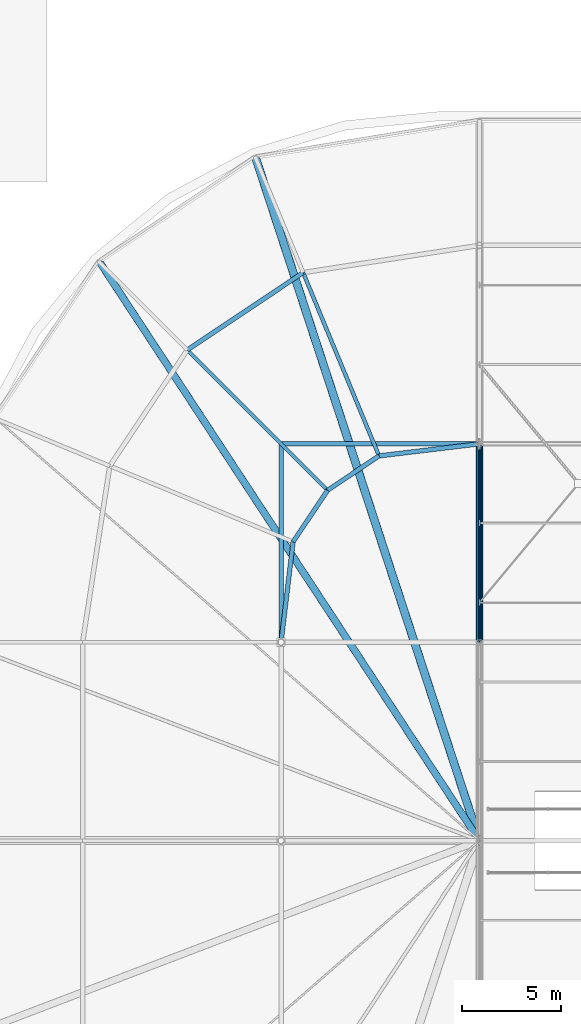
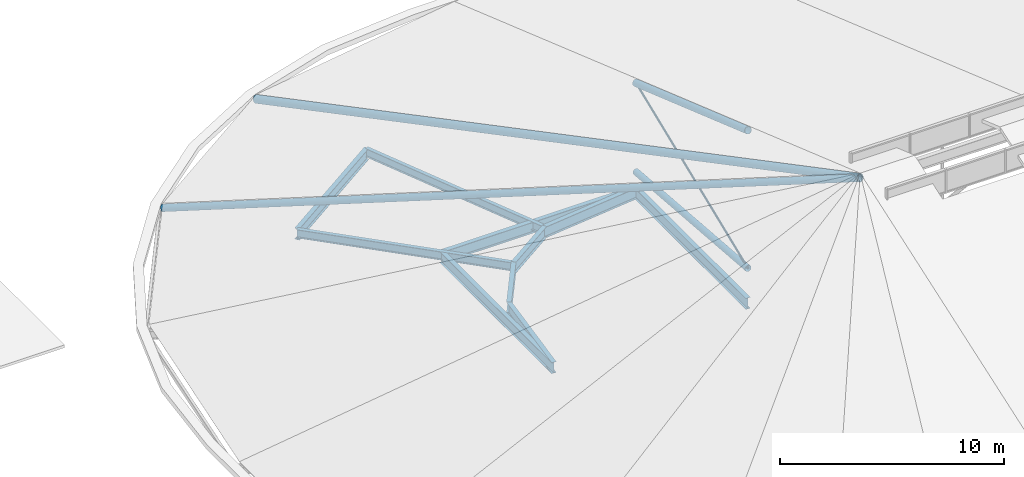
# One storey, part 32 of 93: 10 beams, 5 members.
"""IFC4 building model written with IfcOpenShell, lengths in metres."""

from ifc_helpers import new_model, si_unit, derived_unit, direction, frame, origin, origin_2d_with_axis, place, context, subcontext, project, spatial, hollow_circle, i_section, extrude, material, material_profile, profile_set, type_object, element, save


model = new_model("IFC4")

# Units and contexts
model_context = context("Model", 3, precision=1e-05, world=origin(), true_north=direction((0.0, 1.0)))
body_context = subcontext(model_context, "Body", "Model", "MODEL_VIEW")
ifc_project = project(units=[si_unit("LENGTHUNIT", "METRE"), si_unit("AREAUNIT", "SQUARE_METRE"), si_unit("VOLUMEUNIT", "CUBIC_METRE"), si_unit("PLANEANGLEUNIT", "RADIAN"), si_unit("MASSUNIT", "GRAM", prefix="KILO"), derived_unit("THERMALTRANSMITTANCEUNIT", [(si_unit("POWERUNIT", "WATT"), 1), (si_unit("LENGTHUNIT", "METRE"), -2), (si_unit("THERMODYNAMICTEMPERATUREUNIT", "KELVIN"), -1)])], contexts=[model_context])

# Site, building, storey
site_placement = place(None, origin())
site = spatial("IfcSite", under=ifc_project, at=site_placement, CompositionType="ELEMENT")
building_placement = place(site_placement, origin())
building = spatial("IfcBuilding", under=site, at=building_placement, Name="Cinnabar Yard Market Hall", CompositionType="ELEMENT")
storey_placement = place(building_placement, frame((0.0, 0.0, 23.800048828125)))
storey = spatial("IfcBuildingStorey", under=building, at=storey_placement, Name="ROOF", CompositionType="ELEMENT", Elevation=23.800048828125)

# Beams
ifc_material_1 = material(Name="Steel Grade 350 (350 MPa)", Category="steel")
ifc_material_profile_1 = material_profile(ifc_material_1, i_section(OverallWidth=0.22900390625, OverallDepth=0.611572265625, WebThickness=0.011962890625, FlangeThickness=0.01953125, FilletRadius=0.013916015625, at=origin_2d_with_axis()), Name="610UB125")
ifc_profile_set_1 = profile_set([ifc_material_profile_1], Name="Steel Grade 350 (350 MPa)")
beam_type_1 = type_object("IfcBeamType", Name="BM-B01E", PredefinedType="BEAM", material=ifc_profile_set_1)
beam_1_placement = place(storey_placement, frame((77.11181640625, 72.6298828125, -9.705810546875), z_axis=(-0.831456201368, -0.555590303377, 0.0), x_axis=(0.555590303377, -0.831456201368, 0.0)))
element("IfcBeam", 1, at=beam_1_placement, inside=storey, type_object=beam_type_1, Name="Outer Corner Ring NW 00506", PredefinedType="BEAM", context=body_context, shape_type="SweptSolid", body=[
    extrude(i_section(OverallWidth=0.22900390625, OverallDepth=0.611572265625, WebThickness=0.011962890625, FlangeThickness=0.01953125, FilletRadius=0.013916015625, at=origin_2d_with_axis()), origin(), (0.0, 0.0, 1.0), 7.0234375),
])
ifc_material_2 = material(Name="Steel Grade 300 (300 MPa)", Category="steel")
ifc_material_profile_2 = material_profile(ifc_material_2, i_section(OverallWidth=0.22802734375, OverallDepth=0.60205078125, WebThickness=0.010498046875, FlangeThickness=0.014892578125, FilletRadius=0.013916015625, at=origin_2d_with_axis()), Name="610UB101")
ifc_profile_set_2 = profile_set([ifc_material_profile_2], Name="Steel Grade 300 (300 MPa)")
beam_type_2 = type_object("IfcBeamType", Name="BM-B02", PredefinedType="BEAM", material=ifc_profile_set_2)
for number, where, z_axis, x_axis, name in (
    (2, (76.0, 64.0, -9.700927734375), (1.0, 0.0, 0.0), (0.0, 1.0, 0.0), "Hall Longitudinal Tie Girder 00404"),
    (3, (76.0, 54.0, -9.700927734375), (0.0, 1.0, 0.0), (-1.0, 0.0, 0.0), "Hall Transverse Tie Girder 00415"),
    (4, (86.0, 54.0, -9.700927734375), (0.0, 1.0, 0.0), (-1.0, 0.0, 0.0), "Hall Transverse Tie Girder 00419"),
):
    element("IfcBeam", number, at=place(storey_placement, frame(where, z_axis=z_axis, x_axis=x_axis)), inside=storey, type_object=beam_type_2, Name=name, PredefinedType="BEAM", context=body_context, shape_type="SweptSolid", body=[
        extrude(i_section(OverallWidth=0.22802734375, OverallDepth=0.60205078125, WebThickness=0.010498046875, FlangeThickness=0.014892578125, FilletRadius=0.013916015625, at=origin_2d_with_axis()), origin(), (0.0, 0.0, 1.0), 10.0),
    ])
beam_2_placement = place(storey_placement, frame((86.0, 64.0, -9.700927734375), z_axis=(-0.992841898615, -0.119436026198, 0.0), x_axis=(0.119436026198, -0.992841898615, 0.0)))
element("IfcBeam", 5, at=beam_2_placement, inside=storey, type_object=beam_type_2, Name="Inner Corner Ring NW 00502", PredefinedType="BEAM", context=body_context, shape_type="SweptSolid", body=[
    extrude(i_section(OverallWidth=0.22802734375, OverallDepth=0.60205078125, WebThickness=0.010498046875, FlangeThickness=0.014892578125, FilletRadius=0.013916015625, at=origin_2d_with_axis()), origin(), (0.0, 0.0, 1.0), 5.097900390625),
])
for number, where, z_axis, x_axis, name in (
    (6, (80.9384765625, 63.39111328125, -9.700927734375), (-0.831484320434, -0.555548220115, 0.0), (0.555548220115, -0.831484320434, 0.0), "Inner Corner Ring NW 00505"),
    (7, (78.343017578125, 61.656982421875, -9.700927734375), (-0.555548220115, -0.831484320434, 0.0), (0.831484320434, -0.555548220115, 0.0), "Inner Corner Ring NW 00508"),
):
    element("IfcBeam", number, at=place(storey_placement, frame(where, z_axis=z_axis, x_axis=x_axis)), inside=storey, type_object=beam_type_2, Name=name, PredefinedType="BEAM", context=body_context, shape_type="SweptSolid", body=[
        extrude(i_section(OverallWidth=0.22802734375, OverallDepth=0.60205078125, WebThickness=0.010498046875, FlangeThickness=0.014892578125, FilletRadius=0.013916015625, at=origin_2d_with_axis()), origin(), (0.0, 0.0, 1.0), 3.12158203125),
    ])
beam_3_placement = place(storey_placement, frame((76.60888671875, 59.0615234375, -9.700927734375), z_axis=(-0.119436026198, -0.992841898615, 0.0), x_axis=(0.992841898615, -0.119436026198, 0.0)))
element("IfcBeam", 8, at=beam_3_placement, inside=storey, type_object=beam_type_2, Name="Inner Corner Ring NW 00511", PredefinedType="BEAM", context=body_context, shape_type="SweptSolid", body=[
    extrude(i_section(OverallWidth=0.22802734375, OverallDepth=0.60205078125, WebThickness=0.010498046875, FlangeThickness=0.014892578125, FilletRadius=0.013916015625, at=origin_2d_with_axis()), origin(), (0.0, 0.0, 1.0), 5.097900390625),
])
ifc_material_profile_3 = material_profile(ifc_material_2, i_section(OverallWidth=0.19091796875, OverallDepth=0.46044921875, WebThickness=0.010009765625, FlangeThickness=0.01611328125, FilletRadius=0.011474609375, at=origin_2d_with_axis()), Name="460UB82.1")
ifc_profile_set_3 = profile_set([ifc_material_profile_3], Name="Steel Grade 300 (300 MPa)")
beam_type_3 = type_object("IfcBeamType", Name="BM-B04", PredefinedType="BEAM", material=ifc_profile_set_3)
beam_4_placement = place(storey_placement, frame((80.9384765625, 63.39111328125, -9.630126953125), z_axis=(-0.382669478028, 0.923885312463, 0.0), x_axis=(-0.923885312463, -0.382669478028, 0.0)))
element("IfcBeam", 9, at=beam_4_placement, inside=storey, type_object=beam_type_3, Name="Corner Backspan Girder NW-2 00514", PredefinedType="BEAM", context=body_context, shape_type="SweptSolid", body=[
    extrude(i_section(OverallWidth=0.19091796875, OverallDepth=0.46044921875, WebThickness=0.010009765625, FlangeThickness=0.01611328125, FilletRadius=0.011474609375, at=origin_2d_with_axis()), origin(), (0.0, 0.0, 1.0), 10.0),
])
beam_5_placement = place(storey_placement, frame((78.343017578125, 61.656982421875, -9.630126953125), z_axis=(-0.707106781187, 0.707106781187, 0.0), x_axis=(-0.707106781187, -0.707106781187, 0.0)))
element("IfcBeam", 10, at=beam_5_placement, inside=storey, type_object=beam_type_3, Name="Corner Backspan Girder NW-4 00516", PredefinedType="BEAM", context=body_context, shape_type="SweptSolid", body=[
    extrude(i_section(OverallWidth=0.19091796875, OverallDepth=0.46044921875, WebThickness=0.010009765625, FlangeThickness=0.01611328125, FilletRadius=0.011474609375, at=origin_2d_with_axis()), origin(), (0.0, 0.0, 1.0), 9.99951171875),
])

# Members
ifc_material_3 = material(Name="Cold-formed steel C350L0", Category="steel")
ifc_material_profile_4 = material_profile(ifc_material_3, hollow_circle(Radius=0.161865234375, WallThickness=0.009521484375, at=origin_2d_with_axis()), Name="323.9x9.5CHS")
ifc_profile_set_4 = profile_set([ifc_material_profile_4], Name="Cold-formed steel C350L0")
member_type_1 = type_object("IfcMemberType", Name="MB-BC01", PredefinedType="CHORD", material=ifc_profile_set_4)
member_1_placement = place(storey_placement, frame((86.0, 54.0, -7.800048828125), z_axis=(0.0, 0.99681489162, -0.07975005859), x_axis=(-1.0, 0.0, 0.0)))
element("IfcMember", 11, at=member_1_placement, inside=storey, type_object=member_type_1, Name="Hall Truss 86 Bottom Chord 5", PredefinedType="CHORD", context=body_context, shape_type="SweptSolid", body=[
    extrude(hollow_circle(Radius=0.161865234375, WallThickness=0.009521484375, at=origin_2d_with_axis()), origin(), (0.0, 0.0, 1.0), 10.031982421875),
])
ifc_material_profile_5 = material_profile(ifc_material_3, hollow_circle(Radius=0.05078125, WallThickness=0.0048828125, at=origin_2d_with_axis()), Name="101.6x5.0CHS")
ifc_profile_set_5 = profile_set([ifc_material_profile_5], Name="Cold-formed steel C350L0")
member_type_2 = type_object("IfcMemberType", Name="MB-DG05", PredefinedType="BRACE", material=ifc_profile_set_5)
member_2_placement = place(storey_placement, frame((86.0, 54.0, -7.800048828125), z_axis=(0.0, 0.927230348791, 0.374491495607), x_axis=(-1.0, 0.0, 0.0)))
element("IfcMember", 12, at=member_2_placement, inside=storey, type_object=member_type_2, Name="Hall Truss 86 Diagonal 5", PredefinedType="BRACE", context=body_context, shape_type="SweptSolid", body=[
    extrude(hollow_circle(Radius=0.05078125, WallThickness=0.0048828125, at=origin_2d_with_axis()), origin(), (0.0, 0.0, 1.0), 10.784912109375),
])
ifc_material_profile_6 = material_profile(ifc_material_3, hollow_circle(Radius=0.177734375, WallThickness=0.0126953125, at=origin_2d_with_axis()), Name="355.6x12.7CHS")
ifc_profile_set_6 = profile_set([ifc_material_profile_6], Name="Cold-formed steel C350L0")
member_type_3 = type_object("IfcMemberType", Name="MB-TC01", PredefinedType="CHORD", material=ifc_profile_set_6)
member_3_placement = place(storey_placement, frame((86.0, 54.0, -0.28076171875), z_axis=(0.0, 0.944432077625, -0.328706633267), x_axis=(-1.0, 0.0, 0.0)))
element("IfcMember", 13, at=member_3_placement, inside=storey, type_object=member_type_3, Name="Hall Truss 86 Top Chord 5", PredefinedType="CHORD", context=body_context, shape_type="SweptSolid", body=[
    extrude(hollow_circle(Radius=0.177734375, WallThickness=0.0126953125, at=origin_2d_with_axis()), origin(), (0.0, 0.0, 1.0), 10.58837890625),
])
member_4_placement = place(storey_placement, frame((86.0, 44.0, 3.199951171875), z_axis=(-0.516062640809, 0.786082003475, -0.340227033867), x_axis=(-0.835952129512, -0.548802366215, 0.0)))
element("IfcMember", 14, at=member_4_placement, inside=storey, type_object=member_type_3, Name="West Apsidal Hip Rafter 08", PredefinedType="CHORD", context=body_context, shape_type="SweptSolid", body=[
    extrude(hollow_circle(Radius=0.177734375, WallThickness=0.0126953125, at=origin_2d_with_axis()), origin(), (0.0, 0.0, 1.0), 37.034423828125),
])
ifc_material_profile_7 = material_profile(ifc_material_3, hollow_circle(Radius=0.203125, WallThickness=0.0126953125, at=origin_2d_with_axis()), Name="406.4x12.7CHS")
ifc_profile_set_7 = profile_set([ifc_material_profile_7], Name="Cold-formed steel C350L0")
member_type_4 = type_object("IfcMemberType", Name="MB-TC03", PredefinedType="CHORD", material=ifc_profile_set_7)
member_5_placement = place(storey_placement, frame((86.0, 44.0, 3.199951171875), z_axis=(-0.294105928057, 0.897333924239, -0.32907982541), x_axis=(-0.950261487269, -0.31145321609, 0.0)))
element("IfcMember", 15, at=member_5_placement, inside=storey, type_object=member_type_4, Name="West Apsidal Hip Rafter 09", PredefinedType="CHORD", context=body_context, shape_type="SweptSolid", body=[
    extrude(hollow_circle(Radius=0.203125, WallThickness=0.0126953125, at=origin_2d_with_axis()), origin(), (0.0, 0.0, 1.0), 38.288818359375),
])

save(model, "model.ifc")
